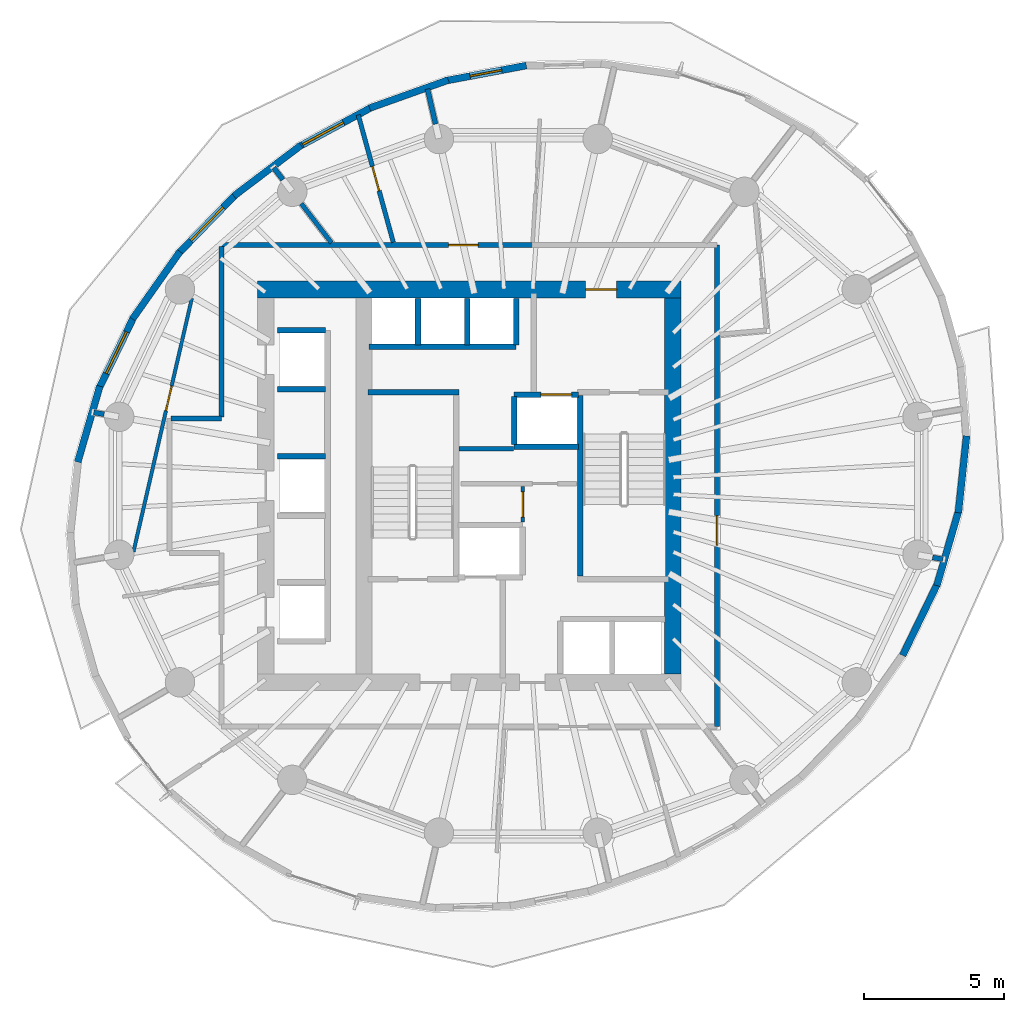
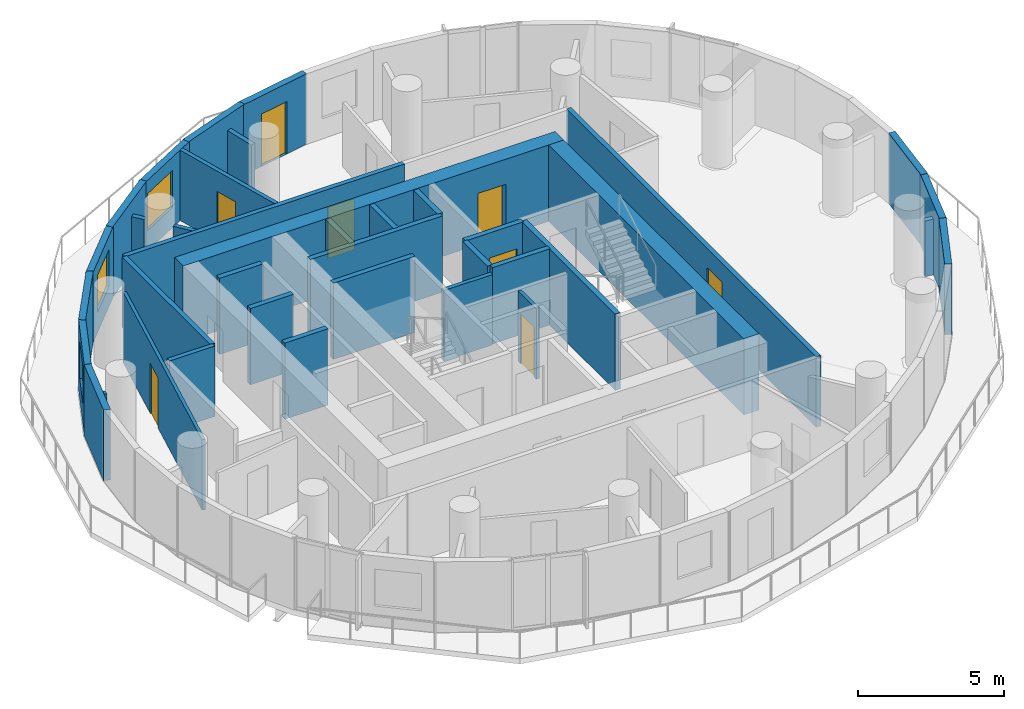
# One storey, part 6 of 12: 38 walls, 8 doors, 3 windows, 11 openings.
"""IFC4 building model written with IfcOpenShell, lengths in metres."""

from ifc_helpers import new_model, si_unit, direction, frame, frame_2d, origin, place, context, subcontext, project, spatial, rectangle, extrude, material, layer, layer_set, type_object, element, fill, save


model = new_model("IFC4")

# Units and contexts
model_context = context("Model", 3, precision=1e-05, world=origin(), true_north=direction((0.0, 1.0)))
body_context = subcontext(model_context, "Body", "Model", "MODEL_VIEW")
ifc_project = project(units=[si_unit("LENGTHUNIT", "METRE"), si_unit("AREAUNIT", "SQUARE_METRE"), si_unit("VOLUMEUNIT", "CUBIC_METRE"), si_unit("PLANEANGLEUNIT", "RADIAN"), si_unit("MASSUNIT", "GRAM", prefix="KILO")], contexts=[model_context])

# Site, building, storey
site_placement = place(None, origin())
site = spatial("IfcSite", under=ifc_project, at=site_placement, CompositionType="ELEMENT")
building_placement = place(site_placement, origin())
building = spatial("IfcBuilding", under=site, at=building_placement, Name="Veldorim Arch Residences", CompositionType="ELEMENT")
storey_placement = place(building_placement, frame((0.0, 0.0, 139.360107421875)))
storey = spatial("IfcBuildingStorey", under=building, at=storey_placement, Name="L41", CompositionType="ELEMENT", Elevation=139.360107421875)

# Wall, opening, door
ifc_material_1 = material(Name="Acoustic Gypsum Board", Category="gypsum")
ifc_layer_1 = layer(ifc_material_1, 0.125, Name="Acoustic Stud Room Partition Wall 125")
ifc_layer_set_1 = layer_set([ifc_layer_1], Name="Acoustic Gypsum Board")
wall_type_1 = type_object("IfcWallType", Name="Acoustic Stud Room Partition Wall 125", PredefinedType="PARTITIONING", material=ifc_layer_set_1)
wall_1_placement = place(storey_placement, frame((32.159912109375, 22.719970703125, 0.0), z_axis=(0.0, 0.0, 1.0), x_axis=(0.0, 1.0, 0.0)))
wall_1 = element("IfcWall", 1, at=wall_1_placement, inside=storey, type_object=wall_type_1, Name="L41 interior wall WL-CA-L41-2", PredefinedType="PARTITIONING", context=body_context, shape_type="SweptSolid", body=[
    extrude(rectangle(XDim=1.25, YDim=0.125, at=frame_2d((0.625, 0.0))), origin(), (0.0, 0.0, 1.0), 2.954833984375),
])
opening_1_placement = place(wall_1_placement, frame((0.169921875, 0.0, 0.0)))
opening_1 = element("IfcOpeningElement", 2, at=opening_1_placement, cuts=wall_1, Name="Opening DR-SVC", PredefinedType="OPENING", context=body_context, shape_type="SweptSolid", body=[
    extrude(rectangle(XDim=0.89990234375, YDim=2.10009765625, at=frame_2d((0.449951171875, 1.050048828125))), frame((0.0, 0.072509765625, 0.0), z_axis=(0.0, -1.0, 0.0), x_axis=(1.0, 0.0, 0.0)), (0.0, 0.0, 1.0), 0.14501953125),
])
ifc_material_2 = material(Name="Fire-Rated Steel", Category="steel")
door_type_1 = type_object("IfcDoorType", Name="Riser, Shelter & Plant Room Rated Steel Door 900x2100", OperationType="SINGLE_SWING_LEFT", PredefinedType="DOOR", material=ifc_material_2)
door_1_placement = place(opening_1_placement, origin())
door_1 = element("IfcDoor", 3, at=door_1_placement, inside=storey, type_object=door_type_1, Name="L41 interior door DR-L41-CA2", OperationType="SINGLE_SWING_RIGHT", OverallHeight=2.10009765625, OverallWidth=0.89990234375, PredefinedType="DOOR", context=body_context, shape_type="SweptSolid", body=[
    extrude(rectangle(XDim=0.89990234375, YDim=2.10009765625, at=frame_2d((0.449951171875, 1.050048828125))), frame((0.0, 0.02490234375, 0.0), z_axis=(0.0, -1.0, 0.0), x_axis=(1.0, 0.0, 0.0)), (0.0, 0.0, 1.0), 0.050048828125),
])
fill(opening_1, door_1)

wall_2_placement = place(storey_placement, frame((18.287353515625, 21.6533203125, 0.0), z_axis=(0.0, 0.0, 1.0), x_axis=(0.2244032695, 0.974496368714, 0.0)))
wall_2 = element("IfcWall", 4, at=wall_2_placement, inside=storey, type_object=wall_type_1, Name="L41 interior wall WL-RES-L41-025", PredefinedType="PARTITIONING", context=body_context, shape_type="SweptSolid", body=[
    extrude(rectangle(XDim=9.262939453125, YDim=0.125, at=frame_2d((4.63134765625, 0.0))), origin(), (0.0, 0.0, 1.0), 2.954833984375),
])
opening_2_placement = place(wall_2_placement, frame((5.161376953125, 0.0, 0.0)))
opening_2 = element("IfcOpeningElement", 5, at=opening_2_placement, cuts=wall_2, Name="Opening DR-INT", PredefinedType="OPENING", context=body_context, shape_type="SweptSolid", body=[
    extrude(rectangle(XDim=0.89990234375, YDim=2.10009765625, at=frame_2d((0.449951171875, 1.050048828125))), frame((0.0, 0.072509765625, 0.0), z_axis=(0.0, -1.0, 0.0), x_axis=(1.0, 0.0, 0.0)), (0.0, 0.0, 1.0), 0.14501953125),
])
ifc_material_3 = material(Name="Engineered Timber", Category="wood")
door_type_2 = type_object("IfcDoorType", Name="Apartment Internal Room Timber Door 900x2100", OperationType="SINGLE_SWING_LEFT", PredefinedType="DOOR", material=ifc_material_3)
door_2_placement = place(opening_2_placement, origin())
door_2 = element("IfcDoor", 6, at=door_2_placement, inside=storey, type_object=door_type_2, Name="L41 interior door DR-RES-L41-014", OperationType="SINGLE_SWING_RIGHT", OverallHeight=2.10009765625, OverallWidth=0.89990234375, PredefinedType="DOOR", context=body_context, shape_type="SweptSolid", body=[
    extrude(rectangle(XDim=0.89990234375, YDim=2.10009765625, at=frame_2d((0.449951171875, 1.050048828125))), frame((0.0, 0.02490234375, 0.0), z_axis=(0.0, -1.0, 0.0), x_axis=(1.0, 0.0, 0.0)), (0.0, 0.0, 1.0), 0.050048828125),
])
fill(opening_2, door_2)

# Walls
ifc_material_4 = material(Name="Lightweight Masonry Block & Gypsum", Category="masonry")
ifc_layer_2 = layer(ifc_material_4, 0.179931640625, Name="Compartment & Corridor Fire-Rated Party Wall 180")
ifc_layer_set_2 = layer_set([ifc_layer_2], Name="Lightweight Masonry Block & Gypsum")
wall_type_2 = type_object("IfcWallType", Name="Compartment & Corridor Fire-Rated Party Wall 180", PredefinedType="PARTITIONING", material=ifc_layer_set_2)
wall_3_placement = place(storey_placement, frame((29.049560546875, 36.88916015625, 0.0), z_axis=(0.0, 0.0, 1.0), x_axis=(-0.223093561241, 0.974797036789, 0.0)))
element("IfcWall", 7, at=wall_3_placement, inside=storey, type_object=wall_type_2, Name="L41 interior wall WL-PIER-L41-05", PredefinedType="PARTITIONING", context=body_context, shape_type="SweptSolid", body=[
    extrude(rectangle(XDim=1.282470703125, YDim=0.179931640625, at=frame_2d((0.64111328125, 0.0))), origin(), (0.0, 0.0, 1.0), 2.335693359375),
])
wall_4_placement = place(storey_placement, frame((23.612060546875, 34.908447265625, 0.0), z_axis=(0.0, 0.0, 1.0), x_axis=(-0.609469486836, 0.792809526063, 0.0)))
element("IfcWall", 8, at=wall_4_placement, inside=storey, type_object=wall_type_2, Name="L41 interior wall WL-PIER-L41-06", PredefinedType="PARTITIONING", context=body_context, shape_type="SweptSolid", body=[
    extrude(rectangle(XDim=0.5380859375, YDim=0.179931640625, at=frame_2d((0.26904296875, 0.0))), origin(), (0.0, 0.0, 1.0), 2.335693359375),
])
for number, where, z_axis, x_axis, name in (
    (9, (17.24169921875, 26.55078125, 0.0), (0.0, 0.0, 1.0), (-0.98535888436, 0.170493017491, 0.0), "L41 interior wall WL-PIER-L41-08"),
    (10, (46.75830078125, 21.44921875, 0.0), (0.0, 0.0, 1.0), (0.98535888436, -0.170493017491, 0.0), "L41 interior wall WL-PIER-L41-16"),
):
    element("IfcWall", number, at=place(storey_placement, frame(where, z_axis=z_axis, x_axis=x_axis)), inside=storey, type_object=wall_type_2, Name=name, PredefinedType="PARTITIONING", context=body_context, shape_type="SweptSolid", body=[
        extrude(rectangle(XDim=0.376708984375, YDim=0.179931640625, at=frame_2d((0.1884765625, 0.0))), origin(), (0.0, 0.0, 1.0), 2.335693359375),
    ])

# Wall, opening, door
wall_5_placement = place(storey_placement, frame((39.080078125, 32.580078125, 0.0), z_axis=(0.0, 0.0, 1.0), x_axis=(0.0, -1.0, 0.0)))
wall_5 = element("IfcWall", 11, at=wall_5_placement, inside=storey, type_object=wall_type_2, Name="L41 interior wall WL-RES-L41-002", PredefinedType="PARTITIONING", context=body_context, shape_type="SweptSolid", body=[
    extrude(rectangle(XDim=17.16015625, YDim=0.179931640625, at=frame_2d((8.580078125, 0.0))), origin(), (0.0, 0.0, 1.0), 2.954833984375),
])
opening_3_placement = place(wall_5_placement, frame((9.640380859375, 0.0, 0.0)))
opening_3 = element("IfcOpeningElement", 12, at=opening_3_placement, cuts=wall_5, Name="Opening DR-FLT", PredefinedType="OPENING", context=body_context, shape_type="SweptSolid", body=[
    extrude(rectangle(XDim=1.050048828125, YDim=2.14990234375, at=frame_2d((0.52490234375, 1.074951171875))), frame((0.0, 0.099853515625, 0.0), z_axis=(0.0, -1.0, 0.0), x_axis=(1.0, 0.0, 0.0)), (0.0, 0.0, 1.0), 0.199951171875),
])
ifc_material_5 = material(Name="Fire-Rated Timber", Category="wood")
door_type_3 = type_object("IfcDoorType", Name="Apartment Entrance Solid-Core Fire Door 1050x2150", OperationType="SINGLE_SWING_LEFT", PredefinedType="DOOR", material=ifc_material_5)
door_3_placement = place(opening_3_placement, origin())
door_3 = element("IfcDoor", 13, at=door_3_placement, inside=storey, type_object=door_type_3, Name="L41 interior door DR-RES-L41-005", OperationType="SINGLE_SWING_LEFT", OverallHeight=2.14990234375, OverallWidth=1.050048828125, PredefinedType="DOOR", context=body_context, shape_type="SweptSolid", body=[
    extrude(rectangle(XDim=1.050048828125, YDim=2.14990234375, at=frame_2d((0.52490234375, 1.074951171875))), frame((0.0, 0.02490234375, 0.0), z_axis=(0.0, -1.0, 0.0), x_axis=(1.0, 0.0, 0.0)), (0.0, 0.0, 1.0), 0.050048828125),
])
fill(opening_3, door_3)

wall_6_placement = place(storey_placement, frame((21.419921875, 32.580078125, 0.0), z_axis=(0.0, 0.0, 1.0), x_axis=(1.0, 0.0, 0.0)))
wall_6 = element("IfcWall", 14, at=wall_6_placement, inside=storey, type_object=wall_type_2, Name="L41 interior wall WL-RES-L41-004", PredefinedType="PARTITIONING", context=body_context, shape_type="SweptSolid", body=[
    extrude(rectangle(XDim=11.104736328125, YDim=0.179931640625, at=frame_2d((5.55224609375, 0.0))), origin(), (0.0, 0.0, 1.0), 2.954833984375),
])
opening_4_placement = place(wall_6_placement, frame((8.0927734375, 0.0, 0.0)))
opening_4 = element("IfcOpeningElement", 15, at=opening_4_placement, cuts=wall_6, Name="Opening DR-FLT", PredefinedType="OPENING", context=body_context, shape_type="SweptSolid", body=[
    extrude(rectangle(XDim=1.050048828125, YDim=2.14990234375, at=frame_2d((0.52490234375, 1.074951171875))), frame((0.0, 0.099853515625, 0.0), z_axis=(0.0, -1.0, 0.0), x_axis=(1.0, 0.0, 0.0)), (0.0, 0.0, 1.0), 0.199951171875),
])
door_4_placement = place(opening_4_placement, origin())
door_4 = element("IfcDoor", 16, at=door_4_placement, inside=storey, type_object=door_type_3, Name="L41 interior door DR-RES-L41-007", OperationType="SINGLE_SWING_LEFT", OverallHeight=2.14990234375, OverallWidth=1.050048828125, PredefinedType="DOOR", context=body_context, shape_type="SweptSolid", body=[
    extrude(rectangle(XDim=1.050048828125, YDim=2.14990234375, at=frame_2d((0.52490234375, 1.074951171875))), frame((0.0, 0.02490234375, 0.0), z_axis=(0.0, -1.0, 0.0), x_axis=(1.0, 0.0, 0.0)), (0.0, 0.0, 1.0), 0.050048828125),
])
fill(opening_4, door_4)

# Walls
wall_7_placement = place(storey_placement, frame((19.6298828125, 26.39990234375, 0.0), z_axis=(0.0, 0.0, 1.0), x_axis=(1.0, 0.0, 0.0)))
element("IfcWall", 17, at=wall_7_placement, inside=storey, type_object=wall_type_2, Name="L41 interior wall WL-RES-L41-009", PredefinedType="PARTITIONING", context=body_context, shape_type="SweptSolid", body=[
    extrude(rectangle(XDim=1.7900390625, YDim=0.179931640625, at=frame_2d((0.89501953125, 0.0))), origin(), (0.0, 0.0, 1.0), 2.954833984375),
])
wall_8_placement = place(storey_placement, frame((21.419921875, 26.4599609375, 0.0), z_axis=(0.0, 0.0, 1.0), x_axis=(0.0, 1.0, 0.0)))
element("IfcWall", 18, at=wall_8_placement, inside=storey, type_object=wall_type_2, Name="L41 interior wall WL-RES-L41-010", PredefinedType="PARTITIONING", context=body_context, shape_type="SweptSolid", body=[
    extrude(rectangle(XDim=6.06005859375, YDim=0.179931640625, at=frame_2d((3.030029296875, 0.0))), origin(), (0.0, 0.0, 1.0), 2.954833984375),
])
ifc_material_6 = material(Name="Concrete C50/60", Category="concrete")
ifc_layer_3 = layer(ifc_material_6, 0.199951171875, Name="Core Stair & Lift Shaft Enclosure Wall 200")
ifc_layer_set_3 = layer_set([ifc_layer_3], Name="Concrete C50/60")
wall_type_3 = type_object("IfcWallType", Name="Core Stair & Lift Shaft Enclosure Wall 200", PredefinedType="SHEAR", material=ifc_layer_set_3)
wall_9_placement = place(storey_placement, frame((26.64990234375, 27.330078125, 0.0), z_axis=(0.0, 0.0, 1.0), x_axis=(1.0, 0.0, 0.0)))
element("IfcWall", 19, at=wall_9_placement, inside=storey, type_object=wall_type_3, Name="L41 shaft wall WL-SHF-L41-ST1-N", PredefinedType="SHEAR", context=body_context, shape_type="SweptSolid", body=[
    extrude(rectangle(XDim=3.239990234375, YDim=0.199951171875, at=frame_2d((1.6201171875, 0.0))), origin(), (0.0, 0.0, 1.0), 3.199951171875),
])
wall_10_placement = place(storey_placement, frame((34.2099609375, 20.780029296875, 0.0), z_axis=(0.0, 0.0, 1.0), x_axis=(0.0, 1.0, 0.0)))
element("IfcWall", 20, at=wall_10_placement, inside=storey, type_object=wall_type_3, Name="L41 shaft wall WL-SHF-L41-ST2-W", PredefinedType="SHEAR", context=body_context, shape_type="SweptSolid", body=[
    extrude(rectangle(XDim=6.43994140625, YDim=0.199951171875, at=frame_2d((3.219970703125, 0.0))), origin(), (0.0, 0.0, 1.0), 3.199951171875),
])

# Wall, opening, door
wall_11_placement = place(storey_placement, frame((31.85009765625, 27.25, 0.0), z_axis=(0.0, 0.0, 1.0), x_axis=(1.0, 0.0, 0.0)))
wall_11 = element("IfcWall", 21, at=wall_11_placement, inside=storey, type_object=wall_type_3, Name="L41 shaft wall WL-FL02-L41-N", PredefinedType="SHEAR", context=body_context, shape_type="SweptSolid", body=[
    extrude(rectangle(XDim=2.2998046875, YDim=0.199951171875, at=frame_2d((1.14990234375, 0.0))), origin(), (0.0, 0.0, 1.0), 3.199951171875),
])
opening_5_placement = place(wall_11_placement, frame((0.949951171875, 0.0, 0.0)))
opening_5 = element("IfcOpeningElement", 22, at=opening_5_placement, cuts=wall_11, Name="Opening LD-FF", PredefinedType="OPENING", context=body_context, shape_type="SweptSolid", body=[
    extrude(rectangle(XDim=1.10009765625, YDim=2.14990234375, at=frame_2d((0.550048828125, 1.074951171875))), frame((0.0, 0.10986328125, 0.0), z_axis=(0.0, -1.0, 0.0), x_axis=(1.0, 0.0, 0.0)), (0.0, 0.0, 1.0), 0.219970703125),
])
ifc_material_7 = material(Name="Stainless Steel", Category="steel")
door_type_4 = type_object("IfcDoorType", Name="Firefighting Lift Bi-Parting Sliding Landing Door 1100x2150", OperationType="DOUBLE_DOOR_SLIDING", PredefinedType="DOOR", material=ifc_material_7)
door_5_placement = place(opening_5_placement, origin())
door_5 = element("IfcDoor", 23, at=door_5_placement, inside=storey, type_object=door_type_4, Name="L41 lift landing door LD-L41-FL02", OperationType="DOUBLE_DOOR_SLIDING", OverallHeight=2.14990234375, OverallWidth=1.10009765625, PredefinedType="DOOR", context=body_context, shape_type="SweptSolid", body=[
    extrude(rectangle(XDim=1.10009765625, YDim=2.14990234375, at=frame_2d((0.550048828125, 1.074951171875))), frame((0.0, 0.02490234375, 0.0), z_axis=(0.0, -1.0, 0.0), x_axis=(1.0, 0.0, 0.0)), (0.0, 0.0, 1.0), 0.050048828125),
])
fill(opening_5, door_5)

# Walls
wall_12_placement = place(storey_placement, frame((31.85009765625, 25.39990234375, 0.0), z_axis=(0.0, 0.0, 1.0), x_axis=(1.0, 0.0, 0.0)))
element("IfcWall", 24, at=wall_12_placement, inside=storey, type_object=wall_type_3, Name="L41 shaft wall WL-FL02-L41-S", PredefinedType="SHEAR", context=body_context, shape_type="SweptSolid", body=[
    extrude(rectangle(XDim=2.2998046875, YDim=0.199951171875, at=frame_2d((1.14990234375, 0.0))), origin(), (0.0, 0.0, 1.0), 3.199951171875),
])
for number, where, z_axis, x_axis, name in (
    (25, (31.85009765625, 25.469970703125, 0.0), (0.0, 0.0, 1.0), (0.0, 1.0, 0.0), "L41 shaft wall WL-FL02-L41-W"),
    (26, (23.419921875, 29.5400390625, 0.0), (0.0, 0.0, 1.0), (1.0, 0.0, 0.0), "L41 shaft wall WL-B2-L41-N"),
    (27, (23.419921875, 25.06005859375, 0.0), (0.0, 0.0, 1.0), (1.0, 0.0, 0.0), "L41 shaft wall WL-B2-L41-D2A"),
    (28, (23.419921875, 27.43994140625, 0.0), (0.0, 0.0, 1.0), (1.0, 0.0, 0.0), "L41 shaft wall WL-B2-L41-D2B"),
):
    element("IfcWall", number, at=place(storey_placement, frame(where, z_axis=z_axis, x_axis=x_axis)), inside=storey, type_object=wall_type_3, Name=name, PredefinedType="SHEAR", context=body_context, shape_type="SweptSolid", body=[
        extrude(rectangle(XDim=1.7099609375, YDim=0.199951171875, at=frame_2d((0.85498046875, 0.0))), origin(), (0.0, 0.0, 1.0), 3.199951171875),
    ])
wall_13_placement = place(storey_placement, frame((26.679931640625, 28.949951171875, 0.0), z_axis=(0.0, 0.0, 1.0), x_axis=(1.0, 0.0, 0.0)))
element("IfcWall", 29, at=wall_13_placement, inside=storey, type_object=wall_type_3, Name="L41 shaft wall WL-B3-L41-S", PredefinedType="SHEAR", context=body_context, shape_type="SweptSolid", body=[
    extrude(rectangle(XDim=5.239990234375, YDim=0.199951171875, at=frame_2d((2.6201171875, 0.0))), origin(), (0.0, 0.0, 1.0), 3.199951171875),
])
for number, where, z_axis, x_axis, name in (
    (30, (31.919921875, 29.02001953125, 0.0), (0.0, 0.0, 1.0), (0.0, 1.0, 0.0), "L41 shaft wall WL-B3-L41-E"),
    (31, (28.425048828125, 29.02001953125, 0.0), (0.0, 0.0, 1.0), (0.0, 1.0, 0.0), "L41 shaft wall WL-B3-L41-D1"),
    (32, (30.175048828125, 29.02001953125, 0.0), (0.0, 0.0, 1.0), (0.0, 1.0, 0.0), "L41 shaft wall WL-B3-L41-D2"),
):
    element("IfcWall", number, at=place(storey_placement, frame(where, z_axis=z_axis, x_axis=x_axis)), inside=storey, type_object=wall_type_3, Name=name, PredefinedType="SHEAR", context=body_context, shape_type="SweptSolid", body=[
        extrude(rectangle(XDim=1.659912109375, YDim=0.199951171875, at=frame_2d((0.830078125, 0.0))), origin(), (0.0, 0.0, 1.0), 3.199951171875),
    ])

# Wall, opening, door
ifc_material_8 = material(Name="Concrete C50/60", Category="concrete")
ifc_layer_4 = layer(ifc_material_8, 0.60009765625, Name="Mid-Upper Central Core Shear Wall 600")
ifc_layer_set_4 = layer_set([ifc_layer_4], Name="Concrete C50/60")
wall_type_4 = type_object("IfcWallType", Name="Mid-Upper Central Core Shear Wall 600", PredefinedType="SHEAR", material=ifc_layer_set_4)
wall_14_placement = place(storey_placement, frame((22.699951171875, 31.0, 0.0), z_axis=(0.0, 0.0, 1.0), x_axis=(1.0, 0.0, 0.0)))
wall_14 = element("IfcWall", 33, at=wall_14_placement, inside=storey, type_object=wall_type_4, Name="L41 central core north shear wall", PredefinedType="SHEAR", context=body_context, shape_type="SweptSolid", body=[
    extrude(rectangle(XDim=15.10009765625, YDim=0.60009765625, at=frame_2d((7.550048828125, 0.0))), origin(), (0.0, 0.0, 1.0), 3.199951171875),
])
opening_6_placement = place(wall_14_placement, frame((11.699951171875, 0.0, 0.0)))
opening_6 = element("IfcOpeningElement", 34, at=opening_6_placement, cuts=wall_14, Name="Opening DR-FFL", PredefinedType="OPENING", context=body_context, shape_type="SweptSolid", body=[
    extrude(rectangle(XDim=1.10009765625, YDim=2.14990234375, at=frame_2d((0.550048828125, 1.074951171875))), frame((0.0, 0.31005859375, 0.0), z_axis=(0.0, -1.0, 0.0), x_axis=(1.0, 0.0, 0.0)), (0.0, 0.0, 1.0), 0.6201171875),
])
ifc_material_9 = material(Name="Fire-Rated Steel & Vision Glass", Category="steel")
door_type_5 = type_object("IfcDoorType", Name="Firefighting Lobby Smoke-Stop Fire Door 1100x2150", OperationType="SINGLE_SWING_LEFT", PredefinedType="DOOR", material=ifc_material_9)
door_6_placement = place(opening_6_placement, origin())
door_6 = element("IfcDoor", 35, at=door_6_placement, inside=storey, type_object=door_type_5, Name="L41 interior door DR-L41-FFL2", OperationType="SINGLE_SWING_LEFT", OverallHeight=2.14990234375, OverallWidth=1.10009765625, PredefinedType="DOOR", context=body_context, shape_type="SweptSolid", body=[
    extrude(rectangle(XDim=1.10009765625, YDim=2.14990234375, at=frame_2d((0.550048828125, 1.074951171875))), frame((0.0, 0.02490234375, 0.0), z_axis=(0.0, -1.0, 0.0), x_axis=(1.0, 0.0, 0.0)), (0.0, 0.0, 1.0), 0.050048828125),
])
fill(opening_6, door_6)

# Wall
wall_15_placement = place(storey_placement, frame((37.5, 17.300048828125, 0.0), z_axis=(0.0, 0.0, 1.0), x_axis=(0.0, 1.0, 0.0)))
element("IfcWall", 36, at=wall_15_placement, inside=storey, type_object=wall_type_4, Name="L41 central core east shear wall", PredefinedType="SHEAR", context=body_context, shape_type="SweptSolid", body=[
    extrude(rectangle(XDim=13.39990234375, YDim=0.60009765625, at=frame_2d((6.699951171875, 0.0))), origin(), (0.0, 0.0, 1.0), 3.199951171875),
])

# Wall, opening, door
ifc_material_10 = material(Name="Precast concrete C40/50", Category="concrete")
ifc_layer_5 = layer(ifc_material_10, 0.25, Name="Tower Terracotta Spandrel & Pier Wall 250")
ifc_layer_set_5 = layer_set([ifc_layer_5], Name="Precast concrete C40/50")
wall_type_5 = type_object("IfcWallType", Name="Tower Terracotta Spandrel & Pier Wall 250", PredefinedType="SOLIDWALL", material=ifc_layer_set_5)
wall_16_placement = place(storey_placement, frame((29.39892578125, 38.43359375, 0.0), z_axis=(0.0, 0.0, 1.0), x_axis=(0.982637070109, 0.185538105108, 0.0)))
wall_16 = element("IfcWall", 37, at=wall_16_placement, inside=storey, type_object=wall_type_5, Name="L41 terracotta facade wall 07", PredefinedType="SOLIDWALL", context=body_context, shape_type="SweptSolid", body=[
    extrude(rectangle(XDim=2.93701171875, YDim=0.25, at=frame_2d((1.468505859375, 0.0))), origin(), (0.0, 0.0, 1.0), 2.9599609375),
])
opening_7_placement = place(wall_16_placement, frame((0.89306640625, 0.0, 0.0)))
opening_7 = element("IfcOpeningElement", 38, at=opening_7_placement, cuts=wall_16, Name="Opening BL-DR", PredefinedType="OPENING", context=body_context, shape_type="SweptSolid", body=[
    extrude(rectangle(XDim=1.14990234375, YDim=2.199951171875, at=frame_2d((0.574951171875, 1.10009765625))), frame((0.0, 0.135009765625, 0.0), z_axis=(0.0, -1.0, 0.0), x_axis=(1.0, 0.0, 0.0)), (0.0, 0.0, 1.0), 0.27001953125),
])
ifc_material_11 = material(Name="Aluminium & Low-E Glass", Category="aluminium")
door_type_6 = type_object("IfcDoorType", Name="Glazed Planted Balcony Door 1150x2200", OperationType="SINGLE_SWING_LEFT", PredefinedType="DOOR", material=ifc_material_11)
door_7_placement = place(opening_7_placement, origin())
door_7 = element("IfcDoor", 39, at=door_7_placement, inside=storey, type_object=door_type_6, Name="L41 glazed outdoor terrace door BALC-1", OperationType="SINGLE_SWING_LEFT", OverallHeight=2.199951171875, OverallWidth=1.14990234375, PredefinedType="DOOR", context=body_context, shape_type="SweptSolid", body=[
    extrude(rectangle(XDim=1.14990234375, YDim=2.199951171875, at=frame_2d((0.574951171875, 1.10009765625))), frame((0.0, 0.02490234375, 0.0), z_axis=(0.0, -1.0, 0.0), x_axis=(1.0, 0.0, 0.0)), (0.0, 0.0, 1.0), 0.050048828125),
])
fill(opening_7, door_7)

# Wall
wall_17_placement = place(storey_placement, frame((26.70068359375, 37.461181640625, 0.0), z_axis=(0.0, 0.0, 1.0), x_axis=(0.94175304307, 0.33630522724, 0.0)))
element("IfcWall", 40, at=wall_17_placement, inside=storey, type_object=wall_type_5, Name="L41 terracotta facade wall 08", PredefinedType="SOLIDWALL", context=body_context, shape_type="SweptSolid", body=[
    extrude(rectangle(XDim=2.97705078125, YDim=0.25, at=frame_2d((1.488525390625, 0.0))), origin(), (0.0, 0.0, 1.0), 2.9599609375),
])

# Wall, opening, window
wall_18_placement = place(storey_placement, frame((24.162841796875, 36.0791015625, 0.0), z_axis=(0.0, 0.0, 1.0), x_axis=(0.879567466611, 0.475774181393, 0.0)))
wall_18 = element("IfcWall", 41, at=wall_18_placement, inside=storey, type_object=wall_type_5, Name="L41 terracotta facade wall 09", PredefinedType="SOLIDWALL", context=body_context, shape_type="SweptSolid", body=[
    extrude(rectangle(XDim=2.998291015625, YDim=0.25, at=frame_2d((1.4990234375, 0.0))), origin(), (0.0, 0.0, 1.0), 2.9599609375),
])
opening_8_placement = place(wall_18_placement, frame((0.175048828125, 0.0, 0.85009765625)))
opening_8 = element("IfcOpeningElement", 42, at=opening_8_placement, cuts=wall_18, Name="Opening WN-03", PredefinedType="OPENING", context=body_context, shape_type="SweptSolid", body=[
    extrude(rectangle(XDim=1.64990234375, YDim=1.550048828125, at=frame_2d((0.824951171875, 0.77490234375))), frame((0.0, 0.135009765625, 0.0), z_axis=(0.0, -1.0, 0.0), x_axis=(1.0, 0.0, 0.0)), (0.0, 0.0, 1.0), 0.27001953125),
])
ifc_material_12 = material(Name="Laminated Low-E Glass", Category="glass")
window_type = type_object("IfcWindowType", Name="Residential Wide Window 1650x1550", PartitioningType="SINGLE_PANEL", PredefinedType="WINDOW", material=ifc_material_12)
window_1_placement = place(opening_8_placement, origin())
window_1 = element("IfcWindow", 43, at=window_1_placement, inside=storey, type_object=window_type, Name="L41 solar-control facade window 09", OverallHeight=1.550048828125, OverallWidth=1.64990234375, PartitioningType="SINGLE_PANEL", PredefinedType="WINDOW", context=body_context, shape_type="SweptSolid", body=[
    extrude(rectangle(XDim=1.64990234375, YDim=1.550048828125, at=frame_2d((0.824951171875, 0.77490234375))), frame((0.0, 0.030029296875, 0.0), z_axis=(0.0, -1.0, 0.0), x_axis=(1.0, 0.0, 0.0)), (0.0, 0.0, 1.0), 0.06005859375),
])
fill(opening_8, window_1)

# Wall
wall_19_placement = place(storey_placement, frame((21.863037109375, 34.3291015625, 0.0), z_axis=(0.0, 0.0, 1.0), x_axis=(0.797511213298, 0.603304122863, 0.0)))
element("IfcWall", 44, at=wall_19_placement, inside=storey, type_object=wall_type_5, Name="L41 terracotta facade wall 10", PredefinedType="SOLIDWALL", context=body_context, shape_type="SweptSolid", body=[
    extrude(rectangle(XDim=2.998291015625, YDim=0.25, at=frame_2d((1.4990234375, 0.0))), origin(), (0.0, 0.0, 1.0), 2.9599609375),
])

# Wall, opening, window
wall_20_placement = place(storey_placement, frame((19.871826171875, 32.26416015625, 0.0), z_axis=(0.0, 0.0, 1.0), x_axis=(0.696240605886, 0.717808483312, 0.0)))
wall_20 = element("IfcWall", 45, at=wall_20_placement, inside=storey, type_object=wall_type_5, Name="L41 terracotta facade wall 11", PredefinedType="SOLIDWALL", context=body_context, shape_type="SweptSolid", body=[
    extrude(rectangle(XDim=2.97705078125, YDim=0.25, at=frame_2d((1.488525390625, 0.0))), origin(), (0.0, 0.0, 1.0), 2.9599609375),
])
opening_9_placement = place(wall_20_placement, frame((0.6640625, 0.0, 0.85009765625)))
opening_9 = element("IfcOpeningElement", 46, at=opening_9_placement, cuts=wall_20, Name="Opening WN-03", PredefinedType="OPENING", context=body_context, shape_type="SweptSolid", body=[
    extrude(rectangle(XDim=1.64990234375, YDim=1.550048828125, at=frame_2d((0.824951171875, 0.77490234375))), frame((0.0, 0.135009765625, 0.0), z_axis=(0.0, -1.0, 0.0), x_axis=(1.0, 0.0, 0.0)), (0.0, 0.0, 1.0), 0.27001953125),
])
window_2_placement = place(opening_9_placement, origin())
window_2 = element("IfcWindow", 47, at=window_2_placement, inside=storey, type_object=window_type, Name="L41 solar-control facade window 11", OverallHeight=1.550048828125, OverallWidth=1.64990234375, PartitioningType="SINGLE_PANEL", PredefinedType="WINDOW", context=body_context, shape_type="SweptSolid", body=[
    extrude(rectangle(XDim=1.64990234375, YDim=1.550048828125, at=frame_2d((0.824951171875, 0.77490234375))), frame((0.0, 0.030029296875, 0.0), z_axis=(0.0, -1.0, 0.0), x_axis=(1.0, 0.0, 0.0)), (0.0, 0.0, 1.0), 0.06005859375),
])
fill(opening_9, window_2)

# Wall
wall_21_placement = place(storey_placement, frame((18.25, 29.947509765625, 0.0), z_axis=(0.0, 0.0, 1.0), x_axis=(0.576020449187, 0.817435283137, 0.0)))
element("IfcWall", 48, at=wall_21_placement, inside=storey, type_object=wall_type_5, Name="L41 terracotta facade wall 12", PredefinedType="SOLIDWALL", context=body_context, shape_type="SweptSolid", body=[
    extrude(rectangle(XDim=2.936767578125, YDim=0.25, at=frame_2d((1.46826171875, 0.0))), origin(), (0.0, 0.0, 1.0), 2.9599609375),
])

# Wall, opening, window
wall_22_placement = place(storey_placement, frame((17.046875, 27.449951171875, 0.0), z_axis=(0.0, 0.0, 1.0), x_axis=(0.436882419805, 0.899518621967, 0.0)))
wall_22 = element("IfcWall", 49, at=wall_22_placement, inside=storey, type_object=wall_type_5, Name="L41 terracotta facade wall 13", PredefinedType="SOLIDWALL", context=body_context, shape_type="SweptSolid", body=[
    extrude(rectangle(XDim=2.8818359375, YDim=0.25, at=frame_2d((1.44091796875, 0.0))), origin(), (0.0, 0.0, 1.0), 2.9599609375),
])
opening_10_placement = place(wall_22_placement, frame((0.615966796875, 0.0, 0.85009765625)))
opening_10 = element("IfcOpeningElement", 50, at=opening_10_placement, cuts=wall_22, Name="Opening WN-03", PredefinedType="OPENING", context=body_context, shape_type="SweptSolid", body=[
    extrude(rectangle(XDim=1.64990234375, YDim=1.550048828125, at=frame_2d((0.824951171875, 0.77490234375))), frame((0.0, 0.135009765625, 0.0), z_axis=(0.0, -1.0, 0.0), x_axis=(1.0, 0.0, 0.0)), (0.0, 0.0, 1.0), 0.27001953125),
])
window_3_placement = place(opening_10_placement, origin())
window_3 = element("IfcWindow", 51, at=window_3_placement, inside=storey, type_object=window_type, Name="L41 solar-control facade window 13", OverallHeight=1.550048828125, OverallWidth=1.64990234375, PartitioningType="SINGLE_PANEL", PredefinedType="WINDOW", context=body_context, shape_type="SweptSolid", body=[
    extrude(rectangle(XDim=1.64990234375, YDim=1.550048828125, at=frame_2d((0.824951171875, 0.77490234375))), frame((0.0, 0.030029296875, 0.0), z_axis=(0.0, -1.0, 0.0), x_axis=(1.0, 0.0, 0.0)), (0.0, 0.0, 1.0), 0.06005859375),
])
fill(opening_10, window_3)

# Walls
wall_23_placement = place(storey_placement, frame((16.298828125, 24.847900390625, 0.0), z_axis=(0.0, 0.0, 1.0), x_axis=(0.27958078407, 0.960122172007, 0.0)))
element("IfcWall", 52, at=wall_23_placement, inside=storey, type_object=wall_type_5, Name="L41 terracotta facade wall 14", PredefinedType="SOLIDWALL", context=body_context, shape_type="SweptSolid", body=[
    extrude(rectangle(XDim=2.81787109375, YDim=0.25, at=frame_2d((1.408935546875, 0.0))), origin(), (0.0, 0.0, 1.0), 2.9599609375),
])
wall_24_placement = place(storey_placement, frame((46.953125, 20.550048828125, 0.0), z_axis=(0.0, 0.0, 1.0), x_axis=(-0.436882419805, -0.899518621967, 0.0)))
element("IfcWall", 53, at=wall_24_placement, inside=storey, type_object=wall_type_5, Name="L41 terracotta facade wall 31", PredefinedType="SOLIDWALL", context=body_context, shape_type="SweptSolid", body=[
    extrude(rectangle(XDim=2.8818359375, YDim=0.25, at=frame_2d((1.44091796875, 0.0))), origin(), (0.0, 0.0, 1.0), 2.9599609375),
])
wall_25_placement = place(storey_placement, frame((47.701171875, 23.152099609375, 0.0), z_axis=(0.0, 0.0, 1.0), x_axis=(-0.27958078407, -0.960122172007, 0.0)))
element("IfcWall", 54, at=wall_25_placement, inside=storey, type_object=wall_type_5, Name="L41 terracotta facade wall 32", PredefinedType="SOLIDWALL", context=body_context, shape_type="SweptSolid", body=[
    extrude(rectangle(XDim=2.81787109375, YDim=0.25, at=frame_2d((1.408935546875, 0.0))), origin(), (0.0, 0.0, 1.0), 2.9599609375),
])
wall_26_placement = place(storey_placement, frame((47.97119140625, 25.77880859375, 0.0), z_axis=(0.0, 0.0, 1.0), x_axis=(-0.106010014212, -0.994365062181, 0.0)))
element("IfcWall", 55, at=wall_26_placement, inside=storey, type_object=wall_type_5, Name="L41 terracotta facade wall 33", PredefinedType="SOLIDWALL", context=body_context, shape_type="SweptSolid", body=[
    extrude(rectangle(XDim=2.752197265625, YDim=0.25, at=frame_2d((1.3759765625, 0.0))), origin(), (0.0, 0.0, 1.0), 2.9599609375),
])
ifc_material_13 = material(Name="Moisture-Resistant Gypsum & Stud", Category="gypsum")
ifc_layer_6 = layer(ifc_material_13, 0.159912109375, Name="Wet-Area Moisture-Resistant Plumbing Wall 160")
ifc_layer_set_6 = layer_set([ifc_layer_6], Name="Moisture-Resistant Gypsum & Stud")
wall_type_6 = type_object("IfcWallType", Name="Wet-Area Moisture-Resistant Plumbing Wall 160", PredefinedType="PLUMBINGWALL", material=ifc_layer_set_6)
wall_27_placement = place(storey_placement, frame((29.889892578125, 25.330078125, 0.0), z_axis=(0.0, 0.0, 1.0), x_axis=(1.0, 0.0, 0.0)))
element("IfcWall", 56, at=wall_27_placement, inside=storey, type_object=wall_type_6, Name="L41 interior wall WL-CA-L41-N", PredefinedType="PLUMBINGWALL", context=body_context, shape_type="SweptSolid", body=[
    extrude(rectangle(XDim=1.940185546875, YDim=0.159912109375, at=frame_2d((0.97021484375, 0.0))), origin(), (0.0, 0.0, 1.0), 2.954833984375),
])

# Wall, opening, door
wall_28_placement = place(storey_placement, frame((27.545166015625, 32.676513671875, 0.0), z_axis=(0.0, 0.0, 1.0), x_axis=(-0.265393905211, 0.964140070258, 0.0)))
wall_28 = element("IfcWall", 57, at=wall_28_placement, inside=storey, type_object=wall_type_6, Name="L41 interior wall WL-RES-L41-019", PredefinedType="PLUMBINGWALL", context=body_context, shape_type="SweptSolid", body=[
    extrude(rectangle(XDim=4.708251953125, YDim=0.159912109375, at=frame_2d((2.35400390625, 0.0))), origin(), (0.0, 0.0, 1.0), 2.954833984375),
])
opening_11_placement = place(wall_28_placement, frame((1.904052734375, 0.0, 0.0)))
opening_11 = element("IfcOpeningElement", 58, at=opening_11_placement, cuts=wall_28, Name="Opening DR-WC", PredefinedType="OPENING", context=body_context, shape_type="SweptSolid", body=[
    extrude(rectangle(XDim=0.89990234375, YDim=2.10009765625, at=frame_2d((0.449951171875, 1.050048828125))), frame((0.0, 0.08984375, 0.0), z_axis=(0.0, -1.0, 0.0), x_axis=(1.0, 0.0, 0.0)), (0.0, 0.0, 1.0), 0.179931640625),
])
ifc_material_14 = material(Name="Laminate Timber", Category="wood")
door_type_7 = type_object("IfcDoorType", Name="Bathroom & Accessible WC Moisture-Sealed Door 900x2100", OperationType="SINGLE_SWING_LEFT", PredefinedType="DOOR", material=ifc_material_14)
door_8_placement = place(opening_11_placement, origin())
door_8 = element("IfcDoor", 59, at=door_8_placement, inside=storey, type_object=door_type_7, Name="L41 interior door DR-RES-L41-008", OperationType="SINGLE_SWING_RIGHT", OverallHeight=2.10009765625, OverallWidth=0.89990234375, PredefinedType="DOOR", context=body_context, shape_type="SweptSolid", body=[
    extrude(rectangle(XDim=0.89990234375, YDim=2.10009765625, at=frame_2d((0.449951171875, 1.050048828125))), frame((0.0, 0.02490234375, 0.0), z_axis=(0.0, -1.0, 0.0), x_axis=(1.0, 0.0, 0.0)), (0.0, 0.0, 1.0), 0.050048828125),
])
fill(opening_11, door_8)

# Wall
wall_29_placement = place(storey_placement, frame((25.341552734375, 32.6591796875, 0.0), z_axis=(0.0, 0.0, 1.0), x_axis=(-0.609536601946, 0.792757927042, 0.0)))
element("IfcWall", 60, at=wall_29_placement, inside=storey, type_object=wall_type_6, Name="L41 interior wall WL-RES-L41-021", PredefinedType="PLUMBINGWALL", context=body_context, shape_type="SweptSolid", body=[
    extrude(rectangle(XDim=1.761474609375, YDim=0.159912109375, at=frame_2d((0.880859375, 0.0))), origin(), (0.0, 0.0, 1.0), 2.335693359375),
])

save(model, "model.ifc")
